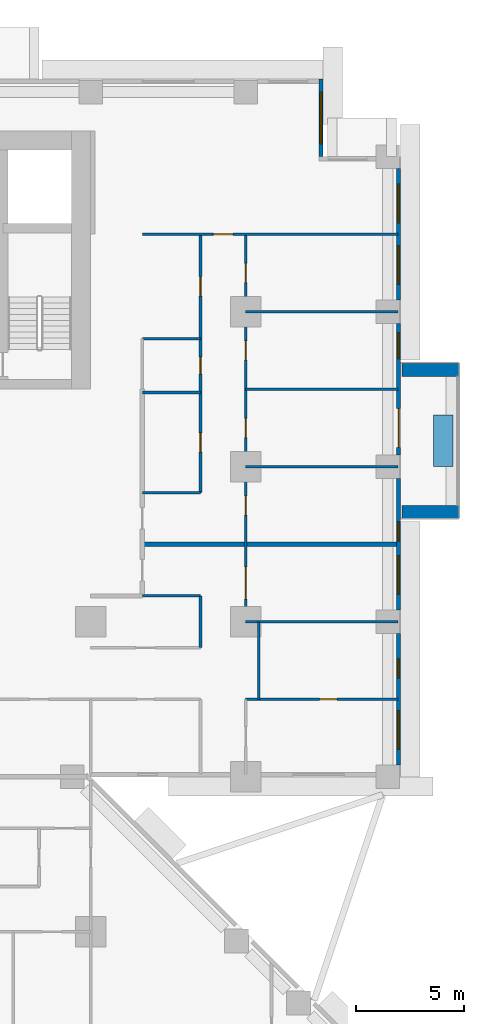
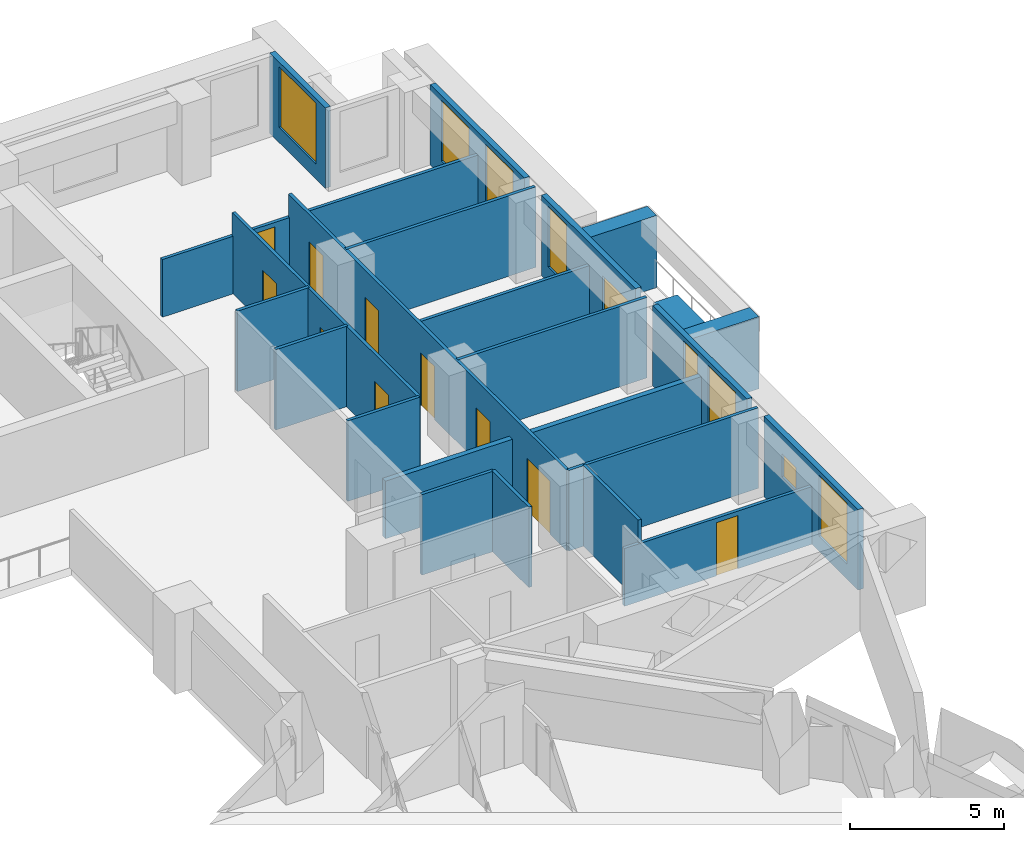
# One storey, part 12 of 17: 23 walls, 11 doors, 8 windows, 19 openings.
"""IFC4 building model written with IfcOpenShell, lengths in metres."""

from ifc_helpers import new_model, si_unit, direction, frame, frame_2d, origin, place, context, subcontext, project, spatial, rectangle, extrude, material, layer, layer_set, type_object, element, fill, save


model = new_model("IFC4")

# Units and contexts
model_context = context("Model", 3, precision=1e-05, world=origin(), true_north=direction((0.0, 1.0)))
body_context = subcontext(model_context, "Body", "Model", "MODEL_VIEW")
ifc_project = project(units=[si_unit("LENGTHUNIT", "METRE"), si_unit("AREAUNIT", "SQUARE_METRE"), si_unit("VOLUMEUNIT", "CUBIC_METRE"), si_unit("PLANEANGLEUNIT", "RADIAN"), si_unit("MASSUNIT", "GRAM", prefix="KILO")], contexts=[model_context])

# Site, building, storey
site_placement = place(None, origin())
site = spatial("IfcSite", under=ifc_project, at=site_placement, CompositionType="ELEMENT")
building_placement = place(site_placement, origin())
building = spatial("IfcBuilding", under=site, at=building_placement, Name="Saffron Iwan Residences", CompositionType="ELEMENT")
storey_placement = place(building_placement, frame((0.0, 0.0, 37.5)))
storey = spatial("IfcBuildingStorey", under=building, at=storey_placement, Name="L08", CompositionType="ELEMENT", Elevation=37.5)

# Walls
ifc_material_1 = material(Name="Concrete C50/60 white painted", Category="concrete")
ifc_layer_1 = layer(ifc_material_1, 0.60009765625)
ifc_layer_set_1 = layer_set([ifc_layer_1], Name="Concrete C50/60 white painted")
wall_type_1 = type_object("IfcWallType", Name="BALCONY FIN 600", PredefinedType="SOLIDWALL", material=ifc_layer_set_1)
for number, where, z_axis, x_axis, name in (
    (1, (86.449951171875, 60.300048828125, 0.0), (0.0, 0.0, 1.0), (1.0, 0.0, 0.0), "Balcony fin L08 F2-0a"),
    (2, (86.449951171875, 66.89990234375, 0.0), (0.0, 0.0, 1.0), (1.0, 0.0, 0.0), "Balcony fin L08 F2-0b"),
):
    element("IfcWall", number, at=place(storey_placement, frame(where, z_axis=z_axis, x_axis=x_axis)), inside=storey, type_object=wall_type_1, Name=name, PredefinedType="SOLIDWALL", context=body_context, shape_type="SweptSolid", body=[
        extrude(rectangle(XDim=2.650146484375, YDim=0.60009765625, at=frame_2d((1.3251953125, 0.0))), origin(), (0.0, 0.0, 1.0), 2.85009765625),
    ])
ifc_material_2 = material(Name="Concrete C35/45 white painted", Category="concrete")
ifc_layer_2 = layer(ifc_material_2, 0.14990234375)
ifc_layer_set_2 = layer_set([ifc_layer_2], Name="Concrete C35/45 white painted")
wall_type_2 = type_object("IfcWallType", Name="BALCONY PLANTER", PredefinedType="SOLIDWALL", material=ifc_layer_set_2)
wall_1_placement = place(storey_placement, frame((88.375, 62.39990234375, 0.0), z_axis=(0.0, 0.0, 1.0), x_axis=(0.0, 1.0, 0.0)))
element("IfcWall", 3, at=wall_1_placement, inside=storey, type_object=wall_type_2, Name="PLANTER L08 F2-0", PredefinedType="SOLIDWALL", context=body_context, shape_type="SweptSolid", body=[
    extrude(rectangle(XDim=2.400146484375, YDim=0.89990234375, at=frame_2d((1.2001953125, 0.0))), origin(), (0.0, 0.0, 1.0), 0.89990234375),
])

# Wall, openings, windows
ifc_material_3 = material(Name="Concrete C40/50", Category="concrete")
ifc_layer_3 = layer(ifc_material_3, 0.199951171875)
ifc_layer_set_3 = layer_set([ifc_layer_3], Name="Concrete C40/50")
wall_type_3 = type_object("IfcWallType", Name="EXTERNAL WALL 200", PredefinedType="SOLIDWALL", material=ifc_layer_set_3)
wall_2_placement = place(storey_placement, frame((86.300048828125, 48.550048828125, 0.0), z_axis=(0.0, 0.0, 1.0), x_axis=(0.0, 1.0, 0.0)))
wall_2 = element("IfcWall", 4, at=wall_2_placement, inside=storey, type_object=wall_type_3, Name="External wall L08 F2.0", PredefinedType="SOLIDWALL", context=body_context, shape_type="SweptSolid", body=[
    extrude(rectangle(XDim=6.099853515625, YDim=0.199951171875, at=frame_2d((3.0498046875, 0.0))), origin(), (0.0, 0.0, 1.0), 3.179931640625),
])
opening_1_placement = place(wall_2_placement, frame((0.72509765625, 0.0, 0.60009765625)))
opening_1 = element("IfcOpeningElement", 5, at=opening_1_placement, cuts=wall_2, Name="Opening W8", PredefinedType="OPENING", context=body_context, shape_type="SweptSolid", body=[
    extrude(rectangle(XDim=1.800048828125, YDim=2.39990234375, at=frame_2d((0.89990234375, 1.199951171875))), frame((0.0, 0.10986328125, 0.0), z_axis=(0.0, -1.0, 0.0), x_axis=(1.0, 0.0, 0.0)), (0.0, 0.0, 1.0), 0.219970703125),
])
opening_2_placement = place(wall_2_placement, frame((4.02490234375, 0.0, 1.5)))
opening_2 = element("IfcOpeningElement", 6, at=opening_2_placement, cuts=wall_2, Name="Opening W6", PredefinedType="OPENING", context=body_context, shape_type="SweptSolid", body=[
    extrude(rectangle(XDim=0.89990234375, YDim=0.89990234375, at=frame_2d((0.449951171875, 0.449951171875))), frame((0.0, 0.10986328125, 0.0), z_axis=(0.0, -1.0, 0.0), x_axis=(1.0, 0.0, 0.0)), (0.0, 0.0, 1.0), 0.219970703125),
])
ifc_material_4 = material(Name="Clear glass, laminated double glazed", Category="glass")
window_type_1 = type_object("IfcWindowType", Name="WINDOW 1800 x 2400", PartitioningType="DOUBLE_PANEL_VERTICAL", PredefinedType="WINDOW", material=ifc_material_4)
window_1_placement = place(opening_1_placement, origin())
window_1 = element("IfcWindow", 7, at=window_1_placement, inside=storey, type_object=window_type_1, Name="Window L08 F2.0", OverallHeight=2.39990234375, OverallWidth=1.800048828125, PartitioningType="DOUBLE_PANEL_VERTICAL", PredefinedType="WINDOW", context=body_context, shape_type="SweptSolid", body=[
    extrude(rectangle(XDim=1.800048828125, YDim=2.39990234375, at=frame_2d((0.89990234375, 1.199951171875))), frame((0.0, 0.030029296875, 0.0), z_axis=(0.0, -1.0, 0.0), x_axis=(1.0, 0.0, 0.0)), (0.0, 0.0, 1.0), 0.06005859375),
])
fill(opening_1, window_1)
window_type_2 = type_object("IfcWindowType", Name="WINDOW 900 x 900 BATH", PartitioningType="SINGLE_PANEL", PredefinedType="WINDOW", material=ifc_material_4)
window_2_placement = place(opening_2_placement, origin())
window_2 = element("IfcWindow", 8, at=window_2_placement, inside=storey, type_object=window_type_2, Name="Window L08 F2.1", OverallHeight=0.89990234375, OverallWidth=0.89990234375, PartitioningType="SINGLE_PANEL", PredefinedType="WINDOW", context=body_context, shape_type="SweptSolid", body=[
    extrude(rectangle(XDim=0.89990234375, YDim=0.89990234375, at=frame_2d((0.449951171875, 0.449951171875))), frame((0.0, 0.030029296875, 0.0), z_axis=(0.0, -1.0, 0.0), x_axis=(1.0, 0.0, 0.0)), (0.0, 0.0, 1.0), 0.06005859375),
])
fill(opening_2, window_2)

wall_3_placement = place(storey_placement, frame((86.300048828125, 55.75, 0.0), z_axis=(0.0, 0.0, 1.0), x_axis=(0.0, 1.0, 0.0)))
wall_3 = element("IfcWall", 9, at=wall_3_placement, inside=storey, type_object=wall_type_3, Name="External wall L08 F2.1", PredefinedType="SOLIDWALL", context=body_context, shape_type="SweptSolid", body=[
    extrude(rectangle(XDim=6.10009765625, YDim=0.199951171875, at=frame_2d((3.050048828125, 0.0))), origin(), (0.0, 0.0, 1.0), 3.179931640625),
])
opening_3_placement = place(wall_3_placement, frame((0.72509765625, 0.0, 0.60009765625)))
opening_3 = element("IfcOpeningElement", 10, at=opening_3_placement, cuts=wall_3, Name="Opening W8", PredefinedType="OPENING", context=body_context, shape_type="SweptSolid", body=[
    extrude(rectangle(XDim=1.800048828125, YDim=2.39990234375, at=frame_2d((0.89990234375, 1.199951171875))), frame((0.0, 0.10986328125, 0.0), z_axis=(0.0, -1.0, 0.0), x_axis=(1.0, 0.0, 0.0)), (0.0, 0.0, 1.0), 0.219970703125),
])
opening_4_placement = place(wall_3_placement, frame((3.199951171875, 0.0, 0.60009765625)))
opening_4 = element("IfcOpeningElement", 11, at=opening_4_placement, cuts=wall_3, Name="Opening W10", PredefinedType="OPENING", context=body_context, shape_type="SweptSolid", body=[
    extrude(rectangle(XDim=0.89990234375, YDim=2.39990234375, at=frame_2d((0.449951171875, 1.199951171875))), frame((0.0, 0.10986328125, 0.0), z_axis=(0.0, -1.0, 0.0), x_axis=(1.0, 0.0, 0.0)), (0.0, 0.0, 1.0), 0.219970703125),
])
window_3_placement = place(opening_3_placement, origin())
window_3 = element("IfcWindow", 12, at=window_3_placement, inside=storey, type_object=window_type_1, Name="Window L08 F2.0", OverallHeight=2.39990234375, OverallWidth=1.800048828125, PartitioningType="DOUBLE_PANEL_VERTICAL", PredefinedType="WINDOW", context=body_context, shape_type="SweptSolid", body=[
    extrude(rectangle(XDim=1.800048828125, YDim=2.39990234375, at=frame_2d((0.89990234375, 1.199951171875))), frame((0.0, 0.030029296875, 0.0), z_axis=(0.0, -1.0, 0.0), x_axis=(1.0, 0.0, 0.0)), (0.0, 0.0, 1.0), 0.06005859375),
])
fill(opening_3, window_3)
window_type_3 = type_object("IfcWindowType", Name="WINDOW 900 x 2400", PartitioningType="SINGLE_PANEL", PredefinedType="WINDOW", material=ifc_material_4)
window_4_placement = place(opening_4_placement, origin())
window_4 = element("IfcWindow", 13, at=window_4_placement, inside=storey, type_object=window_type_3, Name="Window L08 F2.1", OverallHeight=2.39990234375, OverallWidth=0.89990234375, PartitioningType="SINGLE_PANEL", PredefinedType="WINDOW", context=body_context, shape_type="SweptSolid", body=[
    extrude(rectangle(XDim=0.89990234375, YDim=2.39990234375, at=frame_2d((0.449951171875, 1.199951171875))), frame((0.0, 0.030029296875, 0.0), z_axis=(0.0, -1.0, 0.0), x_axis=(1.0, 0.0, 0.0)), (0.0, 0.0, 1.0), 0.06005859375),
])
fill(opening_4, window_4)

# Wall, openings, door, window
wall_4_placement = place(storey_placement, frame((86.300048828125, 62.949951171875, 0.0), z_axis=(0.0, 0.0, 1.0), x_axis=(0.0, 1.0, 0.0)))
wall_4 = element("IfcWall", 14, at=wall_4_placement, inside=storey, type_object=wall_type_3, Name="External wall L08 F2.2", PredefinedType="SOLIDWALL", context=body_context, shape_type="SweptSolid", body=[
    extrude(rectangle(XDim=6.10009765625, YDim=0.199951171875, at=frame_2d((3.050048828125, 0.0))), origin(), (0.0, 0.0, 1.0), 3.179931640625),
])
opening_5_placement = place(wall_4_placement, frame((0.35009765625, 0.0, 0.0)))
opening_5 = element("IfcOpeningElement", 15, at=opening_5_placement, cuts=wall_4, Name="Opening BD1", PredefinedType="OPENING", context=body_context, shape_type="SweptSolid", body=[
    extrude(rectangle(XDim=1.800048828125, YDim=2.39990234375, at=frame_2d((0.89990234375, 1.199951171875))), frame((0.0, 0.10986328125, 0.0), z_axis=(0.0, -1.0, 0.0), x_axis=(1.0, 0.0, 0.0)), (0.0, 0.0, 1.0), 0.219970703125),
])
opening_6_placement = place(wall_4_placement, frame((4.47509765625, 0.0, 0.60009765625)))
opening_6 = element("IfcOpeningElement", 16, at=opening_6_placement, cuts=wall_4, Name="Opening W3", PredefinedType="OPENING", context=body_context, shape_type="SweptSolid", body=[
    extrude(rectangle(XDim=1.199951171875, YDim=2.39990234375, at=frame_2d((0.60009765625, 1.199951171875))), frame((0.0, 0.10986328125, 0.0), z_axis=(0.0, -1.0, 0.0), x_axis=(1.0, 0.0, 0.0)), (0.0, 0.0, 1.0), 0.219970703125),
])
door_type_1 = type_object("IfcDoorType", Name="BALCONY DOOR 1800 x 2400", OperationType="DOUBLE_DOOR_SLIDING", PredefinedType="DOOR", material=ifc_material_4)
door_1_placement = place(opening_5_placement, origin())
door_1 = element("IfcDoor", 17, at=door_1_placement, inside=storey, type_object=door_type_1, Name="Balcony door L08 F2.0", OperationType="DOUBLE_DOOR_SLIDING", OverallHeight=2.39990234375, OverallWidth=1.800048828125, PredefinedType="DOOR", context=body_context, shape_type="SweptSolid", body=[
    extrude(rectangle(XDim=1.800048828125, YDim=2.39990234375, at=frame_2d((0.89990234375, 1.199951171875))), frame((0.0, 0.02490234375, 0.0), z_axis=(0.0, -1.0, 0.0), x_axis=(1.0, 0.0, 0.0)), (0.0, 0.0, 1.0), 0.050048828125),
])
fill(opening_5, door_1)
window_type_4 = type_object("IfcWindowType", Name="WINDOW 1200 x 2400", PartitioningType="SINGLE_PANEL", PredefinedType="WINDOW", material=ifc_material_4)
window_5_placement = place(opening_6_placement, origin())
window_5 = element("IfcWindow", 18, at=window_5_placement, inside=storey, type_object=window_type_4, Name="Window L08 F2.1", OverallHeight=2.39990234375, OverallWidth=1.199951171875, PartitioningType="SINGLE_PANEL", PredefinedType="WINDOW", context=body_context, shape_type="SweptSolid", body=[
    extrude(rectangle(XDim=1.199951171875, YDim=2.39990234375, at=frame_2d((0.60009765625, 1.199951171875))), frame((0.0, 0.030029296875, 0.0), z_axis=(0.0, -1.0, 0.0), x_axis=(1.0, 0.0, 0.0)), (0.0, 0.0, 1.0), 0.06005859375),
])
fill(opening_6, window_5)

# Wall, openings, windows
wall_5_placement = place(storey_placement, frame((86.300048828125, 70.14990234375, 0.0), z_axis=(0.0, 0.0, 1.0), x_axis=(0.0, 1.0, 0.0)))
wall_5 = element("IfcWall", 19, at=wall_5_placement, inside=storey, type_object=wall_type_3, Name="External wall L08 F2.3", PredefinedType="SOLIDWALL", context=body_context, shape_type="SweptSolid", body=[
    extrude(rectangle(XDim=6.10009765625, YDim=0.199951171875, at=frame_2d((3.050048828125, 0.0))), origin(), (0.0, 0.0, 1.0), 3.179931640625),
])
opening_7_placement = place(wall_5_placement, frame((0.72509765625, 0.0, 0.60009765625)))
opening_7 = element("IfcOpeningElement", 20, at=opening_7_placement, cuts=wall_5, Name="Opening W8", PredefinedType="OPENING", context=body_context, shape_type="SweptSolid", body=[
    extrude(rectangle(XDim=1.800048828125, YDim=2.39990234375, at=frame_2d((0.89990234375, 1.199951171875))), frame((0.0, 0.10986328125, 0.0), z_axis=(0.0, -1.0, 0.0), x_axis=(1.0, 0.0, 0.0)), (0.0, 0.0, 1.0), 0.219970703125),
])
opening_8_placement = place(wall_5_placement, frame((3.574951171875, 0.0, 0.60009765625)))
opening_8 = element("IfcOpeningElement", 21, at=opening_8_placement, cuts=wall_5, Name="Opening W8", PredefinedType="OPENING", context=body_context, shape_type="SweptSolid", body=[
    extrude(rectangle(XDim=1.800048828125, YDim=2.39990234375, at=frame_2d((0.89990234375, 1.199951171875))), frame((0.0, 0.10986328125, 0.0), z_axis=(0.0, -1.0, 0.0), x_axis=(1.0, 0.0, 0.0)), (0.0, 0.0, 1.0), 0.219970703125),
])
window_6_placement = place(opening_7_placement, origin())
window_6 = element("IfcWindow", 22, at=window_6_placement, inside=storey, type_object=window_type_1, Name="Window L08 F2.0", OverallHeight=2.39990234375, OverallWidth=1.800048828125, PartitioningType="DOUBLE_PANEL_VERTICAL", PredefinedType="WINDOW", context=body_context, shape_type="SweptSolid", body=[
    extrude(rectangle(XDim=1.800048828125, YDim=2.39990234375, at=frame_2d((0.89990234375, 1.199951171875))), frame((0.0, 0.030029296875, 0.0), z_axis=(0.0, -1.0, 0.0), x_axis=(1.0, 0.0, 0.0)), (0.0, 0.0, 1.0), 0.06005859375),
])
fill(opening_7, window_6)
window_7_placement = place(opening_8_placement, origin())
window_7 = element("IfcWindow", 23, at=window_7_placement, inside=storey, type_object=window_type_1, Name="Window L08 F2.1", OverallHeight=2.39990234375, OverallWidth=1.800048828125, PartitioningType="DOUBLE_PANEL_VERTICAL", PredefinedType="WINDOW", context=body_context, shape_type="SweptSolid", body=[
    extrude(rectangle(XDim=1.800048828125, YDim=2.39990234375, at=frame_2d((0.89990234375, 1.199951171875))), frame((0.0, 0.030029296875, 0.0), z_axis=(0.0, -1.0, 0.0), x_axis=(1.0, 0.0, 0.0)), (0.0, 0.0, 1.0), 0.06005859375),
])
fill(opening_8, window_7)

# Wall, opening, window
wall_6_placement = place(storey_placement, frame((82.699951171875, 76.800048828125, 0.0), z_axis=(0.0, 0.0, 1.0), x_axis=(0.0, 1.0, 0.0)))
wall_6 = element("IfcWall", 24, at=wall_6_placement, inside=storey, type_object=wall_type_3, Name="External wall L08 F4.0", PredefinedType="SOLIDWALL", context=body_context, shape_type="SweptSolid", body=[
    extrude(rectangle(XDim=3.599853515625, YDim=0.199951171875, at=frame_2d((1.7998046875, 0.0))), origin(), (0.0, 0.0, 1.0), 3.179931640625),
])
opening_9_placement = place(wall_6_placement, frame((0.60009765625, 0.0, 0.60009765625)))
opening_9 = element("IfcOpeningElement", 25, at=opening_9_placement, cuts=wall_6, Name="Opening W1", PredefinedType="OPENING", context=body_context, shape_type="SweptSolid", body=[
    extrude(rectangle(XDim=2.39990234375, YDim=2.39990234375, at=frame_2d((1.199951171875, 1.199951171875))), frame((0.0, 0.10986328125, 0.0), z_axis=(0.0, -1.0, 0.0), x_axis=(1.0, 0.0, 0.0)), (0.0, 0.0, 1.0), 0.219970703125),
])
window_type_5 = type_object("IfcWindowType", Name="WINDOW 2400 x 2400", PartitioningType="DOUBLE_PANEL_VERTICAL", PredefinedType="WINDOW", material=ifc_material_4)
window_8_placement = place(opening_9_placement, origin())
window_8 = element("IfcWindow", 26, at=window_8_placement, inside=storey, type_object=window_type_5, Name="Window L08 F4.0", OverallHeight=2.39990234375, OverallWidth=2.39990234375, PartitioningType="DOUBLE_PANEL_VERTICAL", PredefinedType="WINDOW", context=body_context, shape_type="SweptSolid", body=[
    extrude(rectangle(XDim=2.39990234375, YDim=2.39990234375, at=frame_2d((1.199951171875, 1.199951171875))), frame((0.0, 0.030029296875, 0.0), z_axis=(0.0, -1.0, 0.0), x_axis=(1.0, 0.0, 0.0)), (0.0, 0.0, 1.0), 0.06005859375),
])
fill(opening_9, window_8)

# Wall
ifc_material_5 = material(Name="Fire-rated gypsum board wall")
ifc_layer_4 = layer(ifc_material_5, 0.199951171875)
ifc_layer_set_4 = layer_set([ifc_layer_4], Name="Fire-rated gypsum board wall")
wall_type_4 = type_object("IfcWallType", Name="Flat demising wall 200", PredefinedType="SOLIDWALL", material=ifc_layer_set_4)
wall_7_placement = place(storey_placement, frame((74.39990234375, 58.800048828125, 0.0), z_axis=(0.0, 0.0, 1.0), x_axis=(1.0, 0.0, 0.0)))
element("IfcWall", 27, at=wall_7_placement, inside=storey, type_object=wall_type_4, Name="W-L08-DEMISE-h58.8-74.4", PredefinedType="SOLIDWALL", context=body_context, shape_type="SweptSolid", body=[
    extrude(rectangle(XDim=11.875, YDim=0.199951171875, at=frame_2d((5.9375, 0.0))), origin(), (0.0, 0.0, 1.0), 2.280029296875),
])

# Wall, opening, door
ifc_material_6 = material(Name="Gypsum board partition")
ifc_layer_5 = layer(ifc_material_6, 0.1201171875)
ifc_layer_set_5 = layer_set([ifc_layer_5], Name="Gypsum board partition")
wall_type_5 = type_object("IfcWallType", Name="Flat partition 120", PredefinedType="PARTITIONING", material=ifc_layer_set_5)
wall_8_placement = place(storey_placement, frame((79.199951171875, 51.60009765625, 0.0), z_axis=(0.0, 0.0, 1.0), x_axis=(1.0, 0.0, 0.0)))
wall_8 = element("IfcWall", 28, at=wall_8_placement, inside=storey, type_object=wall_type_5, Name="W-L08-PART-h51.6-79.2", PredefinedType="PARTITIONING", context=body_context, shape_type="SweptSolid", body=[
    extrude(rectangle(XDim=7.074951171875, YDim=0.1201171875, at=frame_2d((3.53759765625, 0.0))), origin(), (0.0, 0.0, 1.0), 2.280029296875),
])
opening_10_placement = place(wall_8_placement, frame((3.4375, 0.0, 0.0)))
opening_10 = element("IfcOpeningElement", 29, at=opening_10_placement, cuts=wall_8, Name="Opening FD3", PredefinedType="OPENING", context=body_context, shape_type="SweptSolid", body=[
    extrude(rectangle(XDim=0.800048828125, YDim=2.10009765625, at=frame_2d((0.39990234375, 1.050048828125))), frame((0.0, 0.070068359375, 0.0), z_axis=(0.0, -1.0, 0.0), x_axis=(1.0, 0.0, 0.0)), (0.0, 0.0, 1.0), 0.14013671875),
])
ifc_material_7 = material(Name="Timber door", Category="wood")
door_type_2 = type_object("IfcDoorType", Name="Bathroom door 800", OperationType="NOTDEFINED", PredefinedType="DOOR", material=ifc_material_7)
door_2_placement = place(opening_10_placement, origin())
door_2 = element("IfcDoor", 30, at=door_2_placement, inside=storey, type_object=door_type_2, Name="Door L08-023", OperationType="SINGLE_SWING_RIGHT", OverallHeight=2.10009765625, OverallWidth=0.800048828125, PredefinedType="DOOR", context=body_context, shape_type="SweptSolid", body=[
    extrude(rectangle(XDim=0.800048828125, YDim=2.10009765625, at=frame_2d((0.39990234375, 1.050048828125))), frame((0.0, 0.02490234375, 0.0), z_axis=(0.0, -1.0, 0.0), x_axis=(1.0, 0.0, 0.0)), (0.0, 0.0, 1.0), 0.050048828125),
])
fill(opening_10, door_2)

# Walls
wall_9_placement = place(storey_placement, frame((79.199951171875, 55.199951171875, 0.0), z_axis=(0.0, 0.0, 1.0), x_axis=(1.0, 0.0, 0.0)))
element("IfcWall", 31, at=wall_9_placement, inside=storey, type_object=wall_type_5, Name="W-L08-PART-h55.2-79.2", PredefinedType="PARTITIONING", context=body_context, shape_type="SweptSolid", body=[
    extrude(rectangle(XDim=7.074951171875, YDim=0.1201171875, at=frame_2d((3.53759765625, 0.0))), origin(), (0.0, 0.0, 1.0), 3.179931640625),
])
for number, where, z_axis, x_axis, name in (
    (32, (74.39990234375, 56.39990234375, 0.0), (0.0, 0.0, 1.0), (1.0, 0.0, 0.0), "W-L08-PART-h56.4-74.4"),
    (33, (74.39990234375, 61.199951171875, 0.0), (0.0, 0.0, 1.0), (1.0, 0.0, 0.0), "W-L08-PART-h61.2-74.4"),
):
    element("IfcWall", number, at=place(storey_placement, frame(where, z_axis=z_axis, x_axis=x_axis)), inside=storey, type_object=wall_type_5, Name=name, PredefinedType="PARTITIONING", context=body_context, shape_type="SweptSolid", body=[
        extrude(rectangle(XDim=2.7001953125, YDim=0.1201171875, at=frame_2d((1.35009765625, 0.0))), origin(), (0.0, 0.0, 1.0), 3.179931640625),
    ])
wall_10_placement = place(storey_placement, frame((79.199951171875, 62.39990234375, 0.0), z_axis=(0.0, 0.0, 1.0), x_axis=(1.0, 0.0, 0.0)))
element("IfcWall", 34, at=wall_10_placement, inside=storey, type_object=wall_type_5, Name="W-L08-PART-h62.4-79.2", PredefinedType="PARTITIONING", context=body_context, shape_type="SweptSolid", body=[
    extrude(rectangle(XDim=7.074951171875, YDim=0.1201171875, at=frame_2d((3.53759765625, 0.0))), origin(), (0.0, 0.0, 1.0), 3.179931640625),
])
wall_11_placement = place(storey_placement, frame((74.39990234375, 65.85009765625, 0.0), z_axis=(0.0, 0.0, 1.0), x_axis=(1.0, 0.0, 0.0)))
element("IfcWall", 35, at=wall_11_placement, inside=storey, type_object=wall_type_5, Name="W-L08-PART-h65.85-74.4", PredefinedType="PARTITIONING", context=body_context, shape_type="SweptSolid", body=[
    extrude(rectangle(XDim=2.7001953125, YDim=0.1201171875, at=frame_2d((1.35009765625, 0.0))), origin(), (0.0, 0.0, 1.0), 3.179931640625),
])
wall_12_placement = place(storey_placement, frame((79.199951171875, 66.0, 0.0), z_axis=(0.0, 0.0, 1.0), x_axis=(1.0, 0.0, 0.0)))
element("IfcWall", 36, at=wall_12_placement, inside=storey, type_object=wall_type_5, Name="W-L08-PART-h66-79.2", PredefinedType="PARTITIONING", context=body_context, shape_type="SweptSolid", body=[
    extrude(rectangle(XDim=7.074951171875, YDim=0.1201171875, at=frame_2d((3.53759765625, 0.0))), origin(), (0.0, 0.0, 1.0), 2.280029296875),
])
wall_13_placement = place(storey_placement, frame((74.39990234375, 68.35009765625, 0.0), z_axis=(0.0, 0.0, 1.0), x_axis=(1.0, 0.0, 0.0)))
element("IfcWall", 37, at=wall_13_placement, inside=storey, type_object=wall_type_5, Name="W-L08-PART-h68.35-74.4", PredefinedType="PARTITIONING", context=body_context, shape_type="SweptSolid", body=[
    extrude(rectangle(XDim=2.7001953125, YDim=0.1201171875, at=frame_2d((1.35009765625, 0.0))), origin(), (0.0, 0.0, 1.0), 3.179931640625),
])
wall_14_placement = place(storey_placement, frame((79.199951171875, 69.60009765625, 0.0), z_axis=(0.0, 0.0, 1.0), x_axis=(1.0, 0.0, 0.0)))
element("IfcWall", 38, at=wall_14_placement, inside=storey, type_object=wall_type_5, Name="W-L08-PART-h69.6-79.2", PredefinedType="PARTITIONING", context=body_context, shape_type="SweptSolid", body=[
    extrude(rectangle(XDim=7.074951171875, YDim=0.1201171875, at=frame_2d((3.53759765625, 0.0))), origin(), (0.0, 0.0, 1.0), 3.179931640625),
])

# Wall, opening, door
wall_15_placement = place(storey_placement, frame((74.39990234375, 73.199951171875, 0.0), z_axis=(0.0, 0.0, 1.0), x_axis=(1.0, 0.0, 0.0)))
wall_15 = element("IfcWall", 39, at=wall_15_placement, inside=storey, type_object=wall_type_5, Name="W-L08-PART-h73.2-74.4", PredefinedType="PARTITIONING", context=body_context, shape_type="SweptSolid", body=[
    extrude(rectangle(XDim=11.875, YDim=0.1201171875, at=frame_2d((5.9375, 0.0))), origin(), (0.0, 0.0, 1.0), 2.280029296875),
])
opening_11_placement = place(wall_15_placement, frame((3.300048828125, 0.0, 0.0)))
opening_11 = element("IfcOpeningElement", 40, at=opening_11_placement, cuts=wall_15, Name="Opening FD2", PredefinedType="OPENING", context=body_context, shape_type="SweptSolid", body=[
    extrude(rectangle(XDim=0.89990234375, YDim=2.10009765625, at=frame_2d((0.449951171875, 1.050048828125))), frame((0.0, 0.070068359375, 0.0), z_axis=(0.0, -1.0, 0.0), x_axis=(1.0, 0.0, 0.0)), (0.0, 0.0, 1.0), 0.14013671875),
])
door_type_3 = type_object("IfcDoorType", Name="Flat door 900", OperationType="NOTDEFINED", PredefinedType="DOOR", material=ifc_material_7)
door_3_placement = place(opening_11_placement, origin())
door_3 = element("IfcDoor", 41, at=door_3_placement, inside=storey, type_object=door_type_3, Name="Door L08-040", OperationType="SINGLE_SWING_LEFT", OverallHeight=2.10009765625, OverallWidth=0.89990234375, PredefinedType="DOOR", context=body_context, shape_type="SweptSolid", body=[
    extrude(rectangle(XDim=0.89990234375, YDim=2.10009765625, at=frame_2d((0.449951171875, 1.050048828125))), frame((0.0, 0.02490234375, 0.0), z_axis=(0.0, -1.0, 0.0), x_axis=(1.0, 0.0, 0.0)), (0.0, 0.0, 1.0), 0.050048828125),
])
fill(opening_11, door_3)

# Wall
wall_16_placement = place(storey_placement, frame((77.10009765625, 54.0, 0.0), z_axis=(0.0, 0.0, 1.0), x_axis=(0.0, 1.0, 0.0)))
element("IfcWall", 42, at=wall_16_placement, inside=storey, type_object=wall_type_5, Name="W-L08-PART-v77.1-54", PredefinedType="PARTITIONING", context=body_context, shape_type="SweptSolid", body=[
    extrude(rectangle(XDim=2.39990234375, YDim=0.1201171875, at=frame_2d((1.199951171875, 0.0))), origin(), (0.0, 0.0, 1.0), 3.179931640625),
])

# Wall, openings, doors
wall_17_placement = place(storey_placement, frame((77.10009765625, 61.199951171875, 0.0), z_axis=(0.0, 0.0, 1.0), x_axis=(0.0, 1.0, 0.0)))
wall_17 = element("IfcWall", 43, at=wall_17_placement, inside=storey, type_object=wall_type_5, Name="W-L08-PART-v77.1-61.2", PredefinedType="PARTITIONING", context=body_context, shape_type="SweptSolid", body=[
    extrude(rectangle(XDim=12.0, YDim=0.1201171875, at=frame_2d((6.0, 0.0))), origin(), (0.0, 0.0, 1.0), 3.179931640625),
])
opening_12_placement = place(wall_17_placement, frame((1.875, 0.0, 0.0)))
opening_12 = element("IfcOpeningElement", 44, at=opening_12_placement, cuts=wall_17, Name="Opening FD2", PredefinedType="OPENING", context=body_context, shape_type="SweptSolid", body=[
    extrude(rectangle(XDim=0.89990234375, YDim=2.10009765625, at=frame_2d((0.449951171875, 1.050048828125))), frame((0.0, 0.070068359375, 0.0), z_axis=(0.0, -1.0, 0.0), x_axis=(1.0, 0.0, 0.0)), (0.0, 0.0, 1.0), 0.14013671875),
])
opening_13_placement = place(wall_17_placement, frame((5.5, 0.0, 0.0)))
opening_13 = element("IfcOpeningElement", 45, at=opening_13_placement, cuts=wall_17, Name="Opening FD3", PredefinedType="OPENING", context=body_context, shape_type="SweptSolid", body=[
    extrude(rectangle(XDim=0.800048828125, YDim=2.10009765625, at=frame_2d((0.39990234375, 1.050048828125))), frame((0.0, 0.070068359375, 0.0), z_axis=(0.0, -1.0, 0.0), x_axis=(1.0, 0.0, 0.0)), (0.0, 0.0, 1.0), 0.14013671875),
])
opening_14_placement = place(wall_17_placement, frame((9.125, 0.0, 0.0)))
opening_14 = element("IfcOpeningElement", 46, at=opening_14_placement, cuts=wall_17, Name="Opening FD2", PredefinedType="OPENING", context=body_context, shape_type="SweptSolid", body=[
    extrude(rectangle(XDim=0.89990234375, YDim=2.10009765625, at=frame_2d((0.449951171875, 1.050048828125))), frame((0.0, 0.070068359375, 0.0), z_axis=(0.0, -1.0, 0.0), x_axis=(1.0, 0.0, 0.0)), (0.0, 0.0, 1.0), 0.14013671875),
])
door_4_placement = place(opening_13_placement, origin())
door_4 = element("IfcDoor", 47, at=door_4_placement, inside=storey, type_object=door_type_2, Name="Door L08-042", OperationType="SINGLE_SWING_LEFT", OverallHeight=2.10009765625, OverallWidth=0.800048828125, PredefinedType="DOOR", context=body_context, shape_type="SweptSolid", body=[
    extrude(rectangle(XDim=0.800048828125, YDim=2.10009765625, at=frame_2d((0.39990234375, 1.050048828125))), frame((0.0, 0.02490234375, 0.0), z_axis=(0.0, -1.0, 0.0), x_axis=(1.0, 0.0, 0.0)), (0.0, 0.0, 1.0), 0.050048828125),
])
fill(opening_13, door_4)
door_5_placement = place(opening_12_placement, origin())
door_5 = element("IfcDoor", 48, at=door_5_placement, inside=storey, type_object=door_type_3, Name="Door L08-041", OperationType="SINGLE_SWING_RIGHT", OverallHeight=2.10009765625, OverallWidth=0.89990234375, PredefinedType="DOOR", context=body_context, shape_type="SweptSolid", body=[
    extrude(rectangle(XDim=0.89990234375, YDim=2.10009765625, at=frame_2d((0.449951171875, 1.050048828125))), frame((0.0, 0.02490234375, 0.0), z_axis=(0.0, -1.0, 0.0), x_axis=(1.0, 0.0, 0.0)), (0.0, 0.0, 1.0), 0.050048828125),
])
fill(opening_12, door_5)
door_6_placement = place(opening_14_placement, origin())
door_6 = element("IfcDoor", 49, at=door_6_placement, inside=storey, type_object=door_type_3, Name="Door L08-043", OperationType="SINGLE_SWING_LEFT", OverallHeight=2.10009765625, OverallWidth=0.89990234375, PredefinedType="DOOR", context=body_context, shape_type="SweptSolid", body=[
    extrude(rectangle(XDim=0.89990234375, YDim=2.10009765625, at=frame_2d((0.449951171875, 1.050048828125))), frame((0.0, 0.02490234375, 0.0), z_axis=(0.0, -1.0, 0.0), x_axis=(1.0, 0.0, 0.0)), (0.0, 0.0, 1.0), 0.050048828125),
])
fill(opening_14, door_6)

wall_18_placement = place(storey_placement, frame((79.199951171875, 55.199951171875, 0.0), z_axis=(0.0, 0.0, 1.0), x_axis=(0.0, 1.0, 0.0)))
wall_18 = element("IfcWall", 50, at=wall_18_placement, inside=storey, type_object=wall_type_5, Name="W-L08-PART-v79.2-55.2", PredefinedType="PARTITIONING", context=body_context, shape_type="SweptSolid", body=[
    extrude(rectangle(XDim=18.0, YDim=0.1201171875, at=frame_2d((9.0, 0.0))), origin(), (0.0, 0.0, 1.0), 3.179931640625),
])
opening_15_placement = place(wall_18_placement, frame((1.050048828125, 0.0, 0.0)))
opening_15 = element("IfcOpeningElement", 51, at=opening_15_placement, cuts=wall_18, Name="Opening FD4", PredefinedType="OPENING", context=body_context, shape_type="SweptSolid", body=[
    extrude(rectangle(XDim=1.5, YDim=2.10009765625, at=frame_2d((0.75, 1.050048828125))), frame((0.0, 0.070068359375, 0.0), z_axis=(0.0, -1.0, 0.0), x_axis=(1.0, 0.0, 0.0)), (0.0, 0.0, 1.0), 0.14013671875),
])
opening_16_placement = place(wall_18_placement, frame((4.949951171875, 0.0, 0.0)))
opening_16 = element("IfcOpeningElement", 52, at=opening_16_placement, cuts=wall_18, Name="Opening FD2", PredefinedType="OPENING", context=body_context, shape_type="SweptSolid", body=[
    extrude(rectangle(XDim=0.89990234375, YDim=2.10009765625, at=frame_2d((0.449951171875, 1.050048828125))), frame((0.0, 0.070068359375, 0.0), z_axis=(0.0, -1.0, 0.0), x_axis=(1.0, 0.0, 0.0)), (0.0, 0.0, 1.0), 0.14013671875),
])
opening_17_placement = place(wall_18_placement, frame((8.550048828125, 0.0, 0.0)))
opening_17 = element("IfcOpeningElement", 53, at=opening_17_placement, cuts=wall_18, Name="Opening FD2", PredefinedType="OPENING", context=body_context, shape_type="SweptSolid", body=[
    extrude(rectangle(XDim=0.89990234375, YDim=2.10009765625, at=frame_2d((0.449951171875, 1.050048828125))), frame((0.0, 0.070068359375, 0.0), z_axis=(0.0, -1.0, 0.0), x_axis=(1.0, 0.0, 0.0)), (0.0, 0.0, 1.0), 0.14013671875),
])
opening_18_placement = place(wall_18_placement, frame((12.14990234375, 0.0, 0.0)))
opening_18 = element("IfcOpeningElement", 54, at=opening_18_placement, cuts=wall_18, Name="Opening FD2", PredefinedType="OPENING", context=body_context, shape_type="SweptSolid", body=[
    extrude(rectangle(XDim=0.89990234375, YDim=2.10009765625, at=frame_2d((0.449951171875, 1.050048828125))), frame((0.0, 0.070068359375, 0.0), z_axis=(0.0, -1.0, 0.0), x_axis=(1.0, 0.0, 0.0)), (0.0, 0.0, 1.0), 0.14013671875),
])
opening_19_placement = place(wall_18_placement, frame((15.75, 0.0, 0.0)))
opening_19 = element("IfcOpeningElement", 55, at=opening_19_placement, cuts=wall_18, Name="Opening FD2", PredefinedType="OPENING", context=body_context, shape_type="SweptSolid", body=[
    extrude(rectangle(XDim=0.89990234375, YDim=2.10009765625, at=frame_2d((0.449951171875, 1.050048828125))), frame((0.0, 0.070068359375, 0.0), z_axis=(0.0, -1.0, 0.0), x_axis=(1.0, 0.0, 0.0)), (0.0, 0.0, 1.0), 0.14013671875),
])
door_type_4 = type_object("IfcDoorType", Name="Double door 1500", OperationType="NOTDEFINED", PredefinedType="DOOR", material=ifc_material_7)
door_7_placement = place(opening_15_placement, origin())
door_7 = element("IfcDoor", 56, at=door_7_placement, inside=storey, type_object=door_type_4, Name="Door L08-024", OperationType="SINGLE_SWING_LEFT", OverallHeight=2.10009765625, OverallWidth=1.5, PredefinedType="DOOR", context=body_context, shape_type="SweptSolid", body=[
    extrude(rectangle(XDim=1.5, YDim=2.10009765625, at=frame_2d((0.75, 1.050048828125))), frame((0.0, 0.02490234375, 0.0), z_axis=(0.0, -1.0, 0.0), x_axis=(1.0, 0.0, 0.0)), (0.0, 0.0, 1.0), 0.050048828125),
])
fill(opening_15, door_7)
door_8_placement = place(opening_16_placement, origin())
door_8 = element("IfcDoor", 57, at=door_8_placement, inside=storey, type_object=door_type_3, Name="Door L08-036", OperationType="SINGLE_SWING_LEFT", OverallHeight=2.10009765625, OverallWidth=0.89990234375, PredefinedType="DOOR", context=body_context, shape_type="SweptSolid", body=[
    extrude(rectangle(XDim=0.89990234375, YDim=2.10009765625, at=frame_2d((0.449951171875, 1.050048828125))), frame((0.0, 0.02490234375, 0.0), z_axis=(0.0, -1.0, 0.0), x_axis=(1.0, 0.0, 0.0)), (0.0, 0.0, 1.0), 0.050048828125),
])
fill(opening_16, door_8)
door_9_placement = place(opening_17_placement, origin())
door_9 = element("IfcDoor", 58, at=door_9_placement, inside=storey, type_object=door_type_3, Name="Door L08-037", OperationType="SINGLE_SWING_LEFT", OverallHeight=2.10009765625, OverallWidth=0.89990234375, PredefinedType="DOOR", context=body_context, shape_type="SweptSolid", body=[
    extrude(rectangle(XDim=0.89990234375, YDim=2.10009765625, at=frame_2d((0.449951171875, 1.050048828125))), frame((0.0, 0.02490234375, 0.0), z_axis=(0.0, -1.0, 0.0), x_axis=(1.0, 0.0, 0.0)), (0.0, 0.0, 1.0), 0.050048828125),
])
fill(opening_17, door_9)
door_10_placement = place(opening_18_placement, origin())
door_10 = element("IfcDoor", 59, at=door_10_placement, inside=storey, type_object=door_type_3, Name="Door L08-038", OperationType="SINGLE_SWING_RIGHT", OverallHeight=2.10009765625, OverallWidth=0.89990234375, PredefinedType="DOOR", context=body_context, shape_type="SweptSolid", body=[
    extrude(rectangle(XDim=0.89990234375, YDim=2.10009765625, at=frame_2d((0.449951171875, 1.050048828125))), frame((0.0, 0.02490234375, 0.0), z_axis=(0.0, -1.0, 0.0), x_axis=(1.0, 0.0, 0.0)), (0.0, 0.0, 1.0), 0.050048828125),
])
fill(opening_18, door_10)
door_11_placement = place(opening_19_placement, origin())
door_11 = element("IfcDoor", 60, at=door_11_placement, inside=storey, type_object=door_type_3, Name="Door L08-039", OperationType="SINGLE_SWING_LEFT", OverallHeight=2.10009765625, OverallWidth=0.89990234375, PredefinedType="DOOR", context=body_context, shape_type="SweptSolid", body=[
    extrude(rectangle(XDim=0.89990234375, YDim=2.10009765625, at=frame_2d((0.449951171875, 1.050048828125))), frame((0.0, 0.02490234375, 0.0), z_axis=(0.0, -1.0, 0.0), x_axis=(1.0, 0.0, 0.0)), (0.0, 0.0, 1.0), 0.050048828125),
])
fill(opening_19, door_11)

# Wall
wall_19_placement = place(storey_placement, frame((79.800048828125, 51.60009765625, 0.0), z_axis=(0.0, 0.0, 1.0), x_axis=(0.0, 1.0, 0.0)))
element("IfcWall", 61, at=wall_19_placement, inside=storey, type_object=wall_type_5, Name="W-L08-PART-v79.8-51.6", PredefinedType="PARTITIONING", context=body_context, shape_type="SweptSolid", body=[
    extrude(rectangle(XDim=3.599853515625, YDim=0.1201171875, at=frame_2d((1.7998046875, 0.0))), origin(), (0.0, 0.0, 1.0), 3.179931640625),
])

save(model, "model.ifc")
